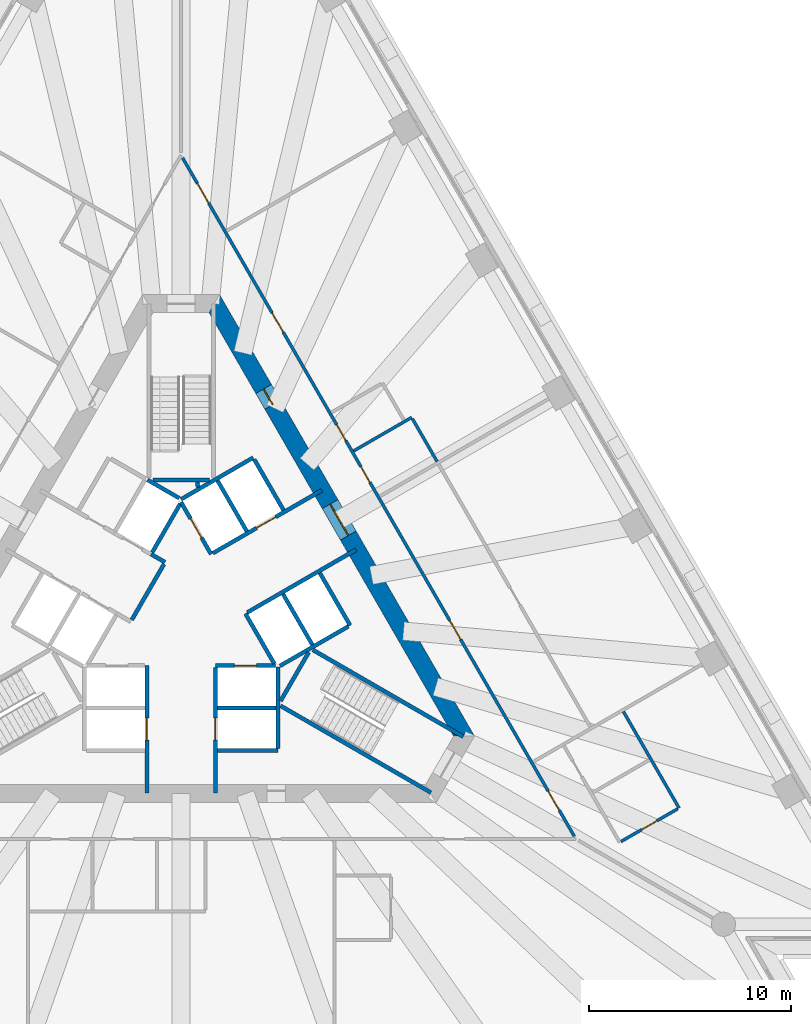
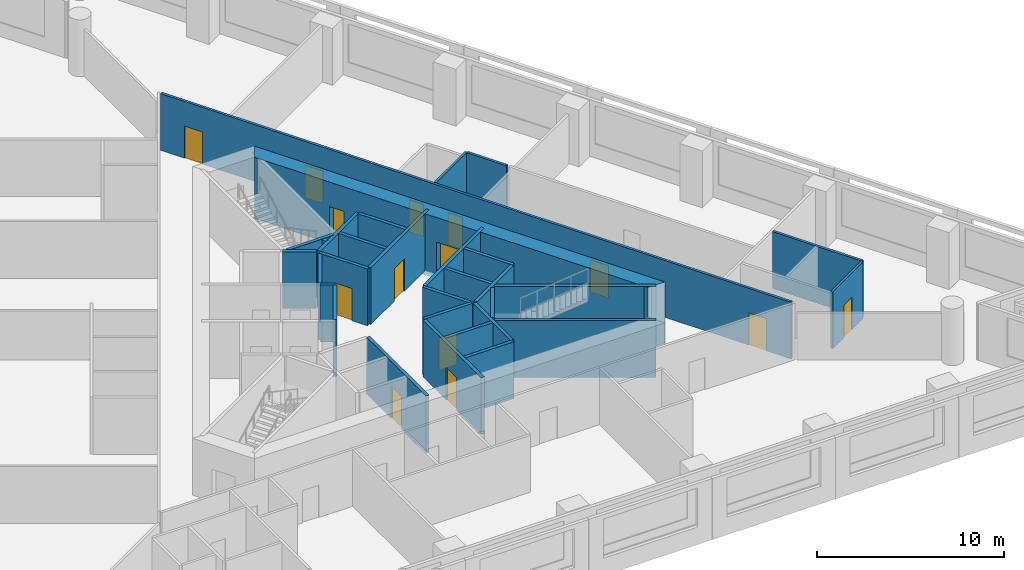
# One storey, part 6 of 11: 31 walls, 14 doors, 14 openings.
"""IFC4 building model written with IfcOpenShell, lengths in metres."""

from ifc_helpers import new_model, si_unit, direction, frame, frame_2d, origin, place, context, subcontext, project, spatial, polyline, rectangle, outline, extrude, material, layer, layer_set, type_object, element, fill, save


model = new_model("IFC4")

# Units and contexts
model_context = context("Model", 3, precision=1e-05, world=origin(), true_north=direction((0.0, 1.0)))
body_context = subcontext(model_context, "Body", "Model", "MODEL_VIEW")
ifc_project = project(units=[si_unit("LENGTHUNIT", "METRE"), si_unit("AREAUNIT", "SQUARE_METRE"), si_unit("VOLUMEUNIT", "CUBIC_METRE"), si_unit("PLANEANGLEUNIT", "RADIAN"), si_unit("MASSUNIT", "GRAM", prefix="KILO")], contexts=[model_context])

# Site, building, storey
site_placement = place(None, origin())
site = spatial("IfcSite", under=ifc_project, at=site_placement, CompositionType="ELEMENT")
building_placement = place(site_placement, origin())
building = spatial("IfcBuilding", under=site, at=building_placement, Name="Triada Interchange Tower", CompositionType="ELEMENT")
storey_placement = place(building_placement, frame((0.0, 0.0, 39.300048828125)))
storey = spatial("IfcBuildingStorey", under=building, at=storey_placement, Name="L07", CompositionType="ELEMENT", Elevation=39.300048828125)

# Walls
ifc_material_1 = material(Name="Concrete C30/37", Category="concrete")
ifc_layer_1 = layer(ifc_material_1, 0.199951171875)
ifc_layer_set_1 = layer_set([ifc_layer_1], Name="CORE WALL 200 EI 120")
wall_type_1 = type_object("IfcWallType", Name="CORE WALL 200 EI 120", PredefinedType="SOLIDWALL", material=ifc_layer_set_1)
wall_1_placement = place(storey_placement, frame((1.800048828125, -4.800048828125, 0.0), z_axis=(0.0, 0.0, 1.0), x_axis=(1.0, 0.0, 0.0)))
element("IfcWall", 1, at=wall_1_placement, inside=storey, type_object=wall_type_1, Name="Wall L06 49", PredefinedType="SOLIDWALL", context=body_context, shape_type="SweptSolid", body=[
    extrude(rectangle(XDim=2.89990234375, YDim=0.199951171875, at=frame_2d((1.449951171875, 0.0))), origin(), (0.0, 0.0, 1.0), 3.699951171875),
])
wall_2_placement = place(storey_placement, frame((1.800048828125, -6.89990234375, 0.0), z_axis=(0.0, 0.0, 1.0), x_axis=(1.0, 0.0, 0.0)))
element("IfcWall", 2, at=wall_2_placement, inside=storey, type_object=wall_type_1, Name="Wall L06 52", PredefinedType="SOLIDWALL", context=body_context, shape_type="SweptSolid", body=[
    extrude(rectangle(XDim=3.0, YDim=0.199951171875, at=frame_2d((1.5, 0.0))), origin(), (0.0, 0.0, 1.0), 3.699951171875),
])

# Wall, opening, door
wall_3_placement = place(storey_placement, frame((-1.699951171875, -9.030029296875, 0.0), z_axis=(0.0, 0.0, 1.0), x_axis=(0.0, 1.0, 0.0)))
wall_3 = element("IfcWall", 3, at=wall_3_placement, inside=storey, type_object=wall_type_1, Name="Wall L06 53", PredefinedType="SOLIDWALL", context=body_context, shape_type="SweptSolid", body=[
    extrude(rectangle(XDim=6.3271484375, YDim=0.199951171875, at=frame_2d((3.16357421875, 0.0))), origin(), (0.0, 0.0, 1.0), 3.699951171875),
])
opening_1_placement = place(wall_3_placement, frame((2.6298828125, 0.0, 0.0)))
opening_1 = element("IfcOpeningElement", 4, at=opening_1_placement, cuts=wall_3, Name="Opening LD-LR4", PredefinedType="OPENING", context=body_context, shape_type="SweptSolid", body=[
    extrude(rectangle(XDim=1.10009765625, YDim=2.10009765625, at=frame_2d((0.550048828125, 1.050048828125))), frame((0.0, 0.10986328125, 0.0), z_axis=(0.0, -1.0, 0.0), x_axis=(1.0, 0.0, 0.0)), (0.0, 0.0, 1.0), 0.219970703125),
])
ifc_material_2 = material(Name="Steel S235 door leaf", Category="steel")
door_type_1 = type_object("IfcDoorType", Name="LIFT LANDING DOOR 1100 EI 120", OperationType="SLIDING_TO_LEFT", PredefinedType="DOOR", material=ifc_material_2)
door_1_placement = place(opening_1_placement, origin())
door_1 = element("IfcDoor", 5, at=door_1_placement, inside=storey, type_object=door_type_1, Name="LR4 landing door L07", OperationType="SLIDING_TO_LEFT", OverallHeight=2.10009765625, OverallWidth=1.10009765625, PredefinedType="DOOR", context=body_context, shape_type="SweptSolid", body=[
    extrude(rectangle(XDim=1.10009765625, YDim=2.10009765625, at=frame_2d((0.550048828125, 1.050048828125))), frame((0.0, 0.02490234375, 0.0), z_axis=(0.0, -1.0, 0.0), x_axis=(1.0, 0.0, 0.0)), (0.0, 0.0, 1.0), 0.050048828125),
])
fill(opening_1, door_1)

wall_4_placement = place(storey_placement, frame((1.702880859375, -2.699951171875, 0.0), z_axis=(0.0, 0.0, 1.0), x_axis=(1.0, 0.0, 0.0)))
wall_4 = element("IfcWall", 6, at=wall_4_placement, inside=storey, type_object=wall_type_1, Name="Wall L06 55", PredefinedType="SOLIDWALL", context=body_context, shape_type="SweptSolid", body=[
    extrude(rectangle(XDim=2.97314453125, YDim=0.199951171875, at=frame_2d((1.486572265625, 0.0))), origin(), (0.0, 0.0, 1.0), 3.699951171875),
])
opening_2_placement = place(wall_4_placement, frame((0.93603515625, 0.0, 0.0)))
opening_2 = element("IfcOpeningElement", 7, at=opening_2_placement, cuts=wall_4, Name="Opening LD-LR1", PredefinedType="OPENING", context=body_context, shape_type="SweptSolid", body=[
    extrude(rectangle(XDim=1.10009765625, YDim=2.10009765625, at=frame_2d((0.550048828125, 1.050048828125))), frame((0.0, 0.10986328125, 0.0), z_axis=(0.0, -1.0, 0.0), x_axis=(1.0, 0.0, 0.0)), (0.0, 0.0, 1.0), 0.219970703125),
])
door_2_placement = place(opening_2_placement, origin())
door_2 = element("IfcDoor", 8, at=door_2_placement, inside=storey, type_object=door_type_1, Name="LR1 landing door L07", OperationType="SLIDING_TO_LEFT", OverallHeight=2.10009765625, OverallWidth=1.10009765625, PredefinedType="DOOR", context=body_context, shape_type="SweptSolid", body=[
    extrude(rectangle(XDim=1.10009765625, YDim=2.10009765625, at=frame_2d((0.550048828125, 1.050048828125))), frame((0.0, 0.02490234375, 0.0), z_axis=(0.0, -1.0, 0.0), x_axis=(1.0, 0.0, 0.0)), (0.0, 0.0, 1.0), 0.050048828125),
])
fill(opening_2, door_2)

# Wall
wall_5_placement = place(storey_placement, frame((-0.001953125, 5.541015625, 0.0), z_axis=(0.0, 0.0, 1.0), x_axis=(0.86600155993, 0.500041296494, 0.0)))
element("IfcWall", 9, at=wall_5_placement, inside=storey, type_object=wall_type_1, Name="Wall L06 56", PredefinedType="SOLIDWALL", context=body_context, shape_type="SweptSolid", body=[
    extrude(rectangle(XDim=4.131591796875, YDim=0.199951171875, at=frame_2d((2.06591796875, 0.0))), origin(), (0.0, 0.0, 1.0), 3.699951171875),
])

# Wall, opening, door
wall_6_placement = place(storey_placement, frame((0.0, 5.39990234375, 0.0), z_axis=(0.0, 0.0, 1.0), x_axis=(0.500103862429, -0.865965430478, 0.0)))
wall_6 = element("IfcWall", 10, at=wall_6_placement, inside=storey, type_object=wall_type_1, Name="Wall L06 57", PredefinedType="SOLIDWALL", context=body_context, shape_type="SweptSolid", body=[
    extrude(rectangle(XDim=2.973388671875, YDim=0.199951171875, at=frame_2d((1.48681640625, 0.0))), origin(), (0.0, 0.0, 1.0), 3.699951171875),
])
opening_3_placement = place(wall_6_placement, frame((0.93701171875, 0.0, 0.0)))
opening_3 = element("IfcOpeningElement", 11, at=opening_3_placement, cuts=wall_6, Name="Opening LD-LR5", PredefinedType="OPENING", context=body_context, shape_type="SweptSolid", body=[
    extrude(rectangle(XDim=1.10009765625, YDim=2.10009765625, at=frame_2d((0.550048828125, 1.050048828125))), frame((0.0, 0.10986328125, 0.0), z_axis=(0.0, -1.0, 0.0), x_axis=(1.0, 0.0, 0.0)), (0.0, 0.0, 1.0), 0.219970703125),
])
door_3_placement = place(opening_3_placement, origin())
door_3 = element("IfcDoor", 12, at=door_3_placement, inside=storey, type_object=door_type_1, Name="LR5 landing door L07", OperationType="SLIDING_TO_LEFT", OverallHeight=2.10009765625, OverallWidth=1.10009765625, PredefinedType="DOOR", context=body_context, shape_type="SweptSolid", body=[
    extrude(rectangle(XDim=1.10009765625, YDim=2.10009765625, at=frame_2d((0.550048828125, 1.050048828125))), frame((0.0, 0.02490234375, 0.0), z_axis=(0.0, -1.0, 0.0), x_axis=(1.0, 0.0, 0.0)), (0.0, 0.0, 1.0), 0.050048828125),
])
fill(opening_3, door_3)

# Wall
wall_7_placement = place(storey_placement, frame((3.18994140625, -0.125, 0.0), z_axis=(0.0, 0.0, 1.0), x_axis=(0.499988658015, -0.866031951983, 0.0)))
element("IfcWall", 13, at=wall_7_placement, inside=storey, type_object=wall_type_1, Name="Wall L06 58", PredefinedType="SOLIDWALL", context=body_context, shape_type="SweptSolid", body=[
    extrude(rectangle(XDim=2.85791015625, YDim=0.199951171875, at=frame_2d((1.428955078125, 0.0))), origin(), (0.0, 0.0, 1.0), 3.699951171875),
])

# Wall, opening, door
wall_8_placement = place(storey_placement, frame((1.577880859375, 2.8740234375, 0.0), z_axis=(0.0, 0.0, 1.0), x_axis=(0.866031483044, 0.499989470266, 0.0)))
wall_8 = element("IfcWall", 14, at=wall_8_placement, inside=storey, type_object=wall_type_1, Name="Wall L06 59", PredefinedType="SOLIDWALL", context=body_context, shape_type="SweptSolid", body=[
    extrude(rectangle(XDim=6.226318359375, YDim=0.199951171875, at=frame_2d((3.11328125, 0.0))), origin(), (0.0, 0.0, 1.0), 3.699951171875),
])
opening_4_placement = place(wall_8_placement, frame((2.49609375, 0.0, 0.0)))
opening_4 = element("IfcOpeningElement", 15, at=opening_4_placement, cuts=wall_8, Name="Opening LD-LR6", PredefinedType="OPENING", context=body_context, shape_type="SweptSolid", body=[
    extrude(rectangle(XDim=1.10009765625, YDim=2.10009765625, at=frame_2d((0.550048828125, 1.050048828125))), frame((0.0, 0.10986328125, 0.0), z_axis=(0.0, -1.0, 0.0), x_axis=(1.0, 0.0, 0.0)), (0.0, 0.0, 1.0), 0.219970703125),
])
door_4_placement = place(opening_4_placement, origin())
door_4 = element("IfcDoor", 16, at=door_4_placement, inside=storey, type_object=door_type_1, Name="LR6 landing door L07", OperationType="SLIDING_TO_LEFT", OverallHeight=2.10009765625, OverallWidth=1.10009765625, PredefinedType="DOOR", context=body_context, shape_type="SweptSolid", body=[
    extrude(rectangle(XDim=1.10009765625, YDim=2.10009765625, at=frame_2d((0.550048828125, 1.050048828125))), frame((0.0, 0.02490234375, 0.0), z_axis=(0.0, -1.0, 0.0), x_axis=(1.0, 0.0, 0.0)), (0.0, 0.0, 1.0), 0.050048828125),
])
fill(opening_4, door_4)

wall_9_placement = place(storey_placement, frame((1.699951171875, -9.030029296875, 0.0), z_axis=(0.0, 0.0, 1.0), x_axis=(0.0, 1.0, 0.0)))
wall_9 = element("IfcWall", 17, at=wall_9_placement, inside=storey, type_object=wall_type_1, Name="Wall L06 60", PredefinedType="SOLIDWALL", context=body_context, shape_type="SweptSolid", body=[
    extrude(rectangle(XDim=6.22705078125, YDim=0.199951171875, at=frame_2d((3.113525390625, 0.0))), origin(), (0.0, 0.0, 1.0), 3.699951171875),
])
opening_5_placement = place(wall_9_placement, frame((2.6298828125, 0.0, 0.0)))
opening_5 = element("IfcOpeningElement", 18, at=opening_5_placement, cuts=wall_9, Name="Opening LD-LR2", PredefinedType="OPENING", context=body_context, shape_type="SweptSolid", body=[
    extrude(rectangle(XDim=1.10009765625, YDim=2.10009765625, at=frame_2d((0.550048828125, 1.050048828125))), frame((0.0, 0.10986328125, 0.0), z_axis=(0.0, -1.0, 0.0), x_axis=(1.0, 0.0, 0.0)), (0.0, 0.0, 1.0), 0.219970703125),
])
door_5_placement = place(opening_5_placement, origin())
door_5 = element("IfcDoor", 19, at=door_5_placement, inside=storey, type_object=door_type_1, Name="LR2 landing door L07", OperationType="SLIDING_TO_LEFT", OverallHeight=2.10009765625, OverallWidth=1.10009765625, PredefinedType="DOOR", context=body_context, shape_type="SweptSolid", body=[
    extrude(rectangle(XDim=1.10009765625, YDim=2.10009765625, at=frame_2d((0.550048828125, 1.050048828125))), frame((0.0, 0.02490234375, 0.0), z_axis=(0.0, -1.0, 0.0), x_axis=(1.0, 0.0, 0.0)), (0.0, 0.0, 1.0), 0.050048828125),
])
fill(opening_5, door_5)

# Walls
wall_10_placement = place(storey_placement, frame((4.800048828125, -6.800048828125, 0.0), z_axis=(0.0, 0.0, 1.0), x_axis=(0.0, 1.0, 0.0)))
element("IfcWall", 20, at=wall_10_placement, inside=storey, type_object=wall_type_1, Name="Wall L06 61", PredefinedType="SOLIDWALL", context=body_context, shape_type="SweptSolid", body=[
    extrude(rectangle(XDim=4.029052734375, YDim=0.199951171875, at=frame_2d((2.0146484375, 0.0))), origin(), (0.0, 0.0, 1.0), 3.699951171875),
])
wall_11_placement = place(storey_placement, frame((3.278076171875, -0.071044921875, 0.0), z_axis=(0.0, 0.0, 1.0), x_axis=(0.865953757655, 0.500124074208, 0.0)))
element("IfcWall", 21, at=wall_11_placement, inside=storey, type_object=wall_type_1, Name="Wall L06 62", PredefinedType="SOLIDWALL", context=body_context, shape_type="SweptSolid", body=[
    extrude(rectangle(XDim=6.2265625, YDim=0.199951171875, at=frame_2d((3.11328125, 0.0))), origin(), (0.0, 0.0, 1.0), 3.699951171875),
])
wall_12_placement = place(storey_placement, frame((3.6259765625, 7.52001953125, 0.0), z_axis=(0.0, 0.0, 1.0), x_axis=(0.500060147554, -0.865990674793, 0.0)))
element("IfcWall", 22, at=wall_12_placement, inside=storey, type_object=wall_type_1, Name="Wall L06 63", PredefinedType="SOLIDWALL", context=body_context, shape_type="SweptSolid", body=[
    extrude(rectangle(XDim=2.899658203125, YDim=0.199951171875, at=frame_2d((1.44970703125, 0.0))), origin(), (0.0, 0.0, 1.0), 3.699951171875),
])
wall_13_placement = place(storey_placement, frame((6.8759765625, 1.89111328125, 0.0), z_axis=(0.0, 0.0, 1.0), x_axis=(0.499990139034, -0.866031096941, 0.0)))
element("IfcWall", 23, at=wall_13_placement, inside=storey, type_object=wall_type_1, Name="Wall L06 64", PredefinedType="SOLIDWALL", context=body_context, shape_type="SweptSolid", body=[
    extrude(rectangle(XDim=3.0, YDim=0.199951171875, at=frame_2d((1.5, 0.0))), origin(), (0.0, 0.0, 1.0), 3.699951171875),
])
for number, where, z_axis, x_axis, name in (
    (24, (1.806884765625, 6.469970703125, 0.0), (0.0, 0.0, 1.0), (0.50012328804, -0.865954211699, 0.0), "Wall L06 65"),
    (25, (5.056884765625, 0.841064453125, 0.0), (0.0, 0.0, 1.0), (0.50012328804, -0.865954211699, 0.0), "Wall L06 66"),
):
    element("IfcWall", number, at=place(storey_placement, frame(where, z_axis=z_axis, x_axis=x_axis)), inside=storey, type_object=wall_type_1, Name=name, PredefinedType="SOLIDWALL", context=body_context, shape_type="SweptSolid", body=[
        extrude(rectangle(XDim=2.899658203125, YDim=0.199951171875, at=frame_2d((1.44970703125, 0.0))), origin(), (0.0, 0.0, 1.0), 3.699951171875),
    ])
wall_14_placement = place(storey_placement, frame((4.89990234375, -2.714111328125, 0.0), z_axis=(0.0, 0.0, 1.0), x_axis=(0.865992350556, 0.500057245502, 0.0)))
element("IfcWall", 26, at=wall_14_placement, inside=storey, type_object=wall_type_1, Name="Wall L06 67", PredefinedType="SOLIDWALL", context=body_context, shape_type="SweptSolid", body=[
    extrude(rectangle(XDim=3.91357421875, YDim=0.199951171875, at=frame_2d((1.956787109375, 0.0))), origin(), (0.0, 0.0, 1.0), 3.699951171875),
])
ifc_layer_2 = layer(ifc_material_1, 0.199951171875)
ifc_layer_set_2 = layer_set([ifc_layer_2], Name="CORE WALL 200 EI 180")
wall_type_2 = type_object("IfcWallType", Name="CORE WALL 200 EI 180", PredefinedType="SOLIDWALL", material=ifc_layer_set_2)
wall_15_placement = place(storey_placement, frame((-1.488037109375, 2.822021484375, 0.0), z_axis=(0.0, 0.0, 1.0), x_axis=(0.866236612152, -0.499633997809, 0.0)))
element("IfcWall", 27, at=wall_15_placement, inside=storey, type_object=wall_type_2, Name="Wall L06 71", PredefinedType="SOLIDWALL", context=body_context, shape_type="SweptSolid", body=[
    extrude(rectangle(XDim=0.79638671875, YDim=0.199951171875, at=frame_2d((0.398193359375, 0.0))), origin(), (0.0, 0.0, 1.0), 3.699951171875),
])
wall_16_placement = place(storey_placement, frame((-2.444091796875, -0.43310546875, 0.0), z_axis=(0.0, 0.0, 1.0), x_axis=(0.500035624827, 0.866004834804, 0.0)))
element("IfcWall", 28, at=wall_16_placement, inside=storey, type_object=wall_type_2, Name="Wall L06 74", PredefinedType="SOLIDWALL", context=body_context, shape_type="SweptSolid", body=[
    extrude(rectangle(XDim=3.194091796875, YDim=0.199951171875, at=frame_2d((1.59716796875, 0.0))), origin(), (0.0, 0.0, 1.0), 3.699951171875),
])
wall_17_placement = place(storey_placement, frame((-1.669921875, 6.507080078125, 0.0), z_axis=(0.0, 0.0, 1.0), x_axis=(0.865941441609, -0.500145398563, 0.0)))
element("IfcWall", 29, at=wall_17_placement, inside=storey, type_object=wall_type_2, Name="Shaft wall FF2 L06 81", PredefinedType="SOLIDWALL", context=body_context, shape_type="SweptSolid", body=[
    extrude(rectangle(XDim=1.8154296875, YDim=0.199951171875, at=frame_2d((0.90771484375, 0.0))), origin(), (0.0, 0.0, 1.0), 3.699951171875),
])
wall_18_placement = place(storey_placement, frame((-1.43798828125, 2.908935546875, 0.0), z_axis=(0.0, 0.0, 1.0), x_axis=(0.499829630636, 0.866123744241, 0.0)))
element("IfcWall", 30, at=wall_18_placement, inside=storey, type_object=wall_type_2, Name="Shaft wall FF2 L06 82", PredefinedType="SOLIDWALL", context=body_context, shape_type="SweptSolid", body=[
    extrude(rectangle(XDim=2.7607421875, YDim=0.199951171875, at=frame_2d((1.38037109375, 0.0))), origin(), (0.0, 0.0, 1.0), 3.699951171875),
])
ifc_layer_3 = layer(ifc_material_1, 0.199951171875)
ifc_layer_set_3 = layer_set([ifc_layer_3], Name="CORE WALL 200 EI 90")
wall_type_3 = type_object("IfcWallType", Name="CORE WALL 200 EI 90", PredefinedType="SOLIDWALL", material=ifc_layer_set_3)
wall_19_placement = place(storey_placement, frame((0.81103515625, 6.39990234375, 0.0), z_axis=(0.0, 0.0, 1.0), x_axis=(0.076199063602, -0.997092624938, 0.0)))
element("IfcWall", 31, at=wall_19_placement, inside=storey, type_object=wall_type_3, Name="Wall L06 83", PredefinedType="SOLIDWALL", context=body_context, shape_type="SweptSolid", body=[
    extrude(rectangle(XDim=0.2626953125, YDim=0.199951171875, at=frame_2d((0.13134765625, 0.0))), origin(), (0.0, 0.0, 1.0), 3.699951171875),
])
ifc_layer_4 = layer(ifc_material_1, 0.199951171875)
ifc_layer_set_4 = layer_set([ifc_layer_4], Name="CORE WALL 200 REI 240")
wall_type_4 = type_object("IfcWallType", Name="CORE WALL 200 REI 240", PredefinedType="SOLIDWALL", material=ifc_layer_set_4)
wall_20_placement = place(storey_placement, frame((-1.39990234375, 6.5, 0.0), z_axis=(0.0, 0.0, 1.0), x_axis=(1.0, 0.0, 0.0)))
element("IfcWall", 32, at=wall_20_placement, inside=storey, type_object=wall_type_4, Name="Wall L06 88", PredefinedType="SOLIDWALL", context=body_context, shape_type="SweptSolid", body=[
    extrude(rectangle(XDim=2.7998046875, YDim=0.199951171875, at=frame_2d((1.39990234375, 0.0))), origin(), (0.0, 0.0, 1.0), 3.699951171875),
])
wall_21_placement = place(storey_placement, frame((4.928955078125, -4.693115234375, 0.0), z_axis=(0.0, 0.0, 1.0), x_axis=(0.866010975815, -0.500024989144, 0.0)))
element("IfcWall", 33, at=wall_21_placement, inside=storey, type_object=wall_type_4, Name="Wall L06 90", PredefinedType="SOLIDWALL", context=body_context, shape_type="SweptSolid", body=[
    extrude(rectangle(XDim=8.615234375, YDim=0.199951171875, at=frame_2d((4.3076171875, 0.0))), origin(), (0.0, 0.0, 1.0), 3.699951171875),
])
wall_22_placement = place(storey_placement, frame((4.928955078125, -4.4619140625, 0.0), z_axis=(0.0, 0.0, 1.0), x_axis=(0.500200581029, 0.865909567298, 0.0)))
element("IfcWall", 34, at=wall_22_placement, inside=storey, type_object=wall_type_4, Name="Wall L06 91", PredefinedType="SOLIDWALL", context=body_context, shape_type="SweptSolid", body=[
    extrude(rectangle(XDim=2.799072265625, YDim=0.199951171875, at=frame_2d((1.3994140625, 0.0))), origin(), (0.0, 0.0, 1.0), 3.699951171875),
])
wall_23_placement = place(storey_placement, frame((6.529052734375, -1.922119140625, 0.0), z_axis=(0.0, 0.0, 1.0), x_axis=(0.866060059011, -0.499939970583, 0.0)))
element("IfcWall", 35, at=wall_23_placement, inside=storey, type_object=wall_type_4, Name="Wall L06 92", PredefinedType="SOLIDWALL", context=body_context, shape_type="SweptSolid", body=[
    extrude(rectangle(XDim=8.61474609375, YDim=0.199951171875, at=frame_2d((4.307373046875, 0.0))), origin(), (0.0, 0.0, 1.0), 3.699951171875),
])

# Wall, openings, doors
ifc_material_3 = material(Name="Concrete C70/85", Category="concrete")
ifc_layer_5 = layer(ifc_material_3, 0.89990234375)
ifc_layer_set_5 = layer_set([ifc_layer_5], Name="Core wall A 900")
wall_type_5 = type_object("IfcWallType", Name="Core wall A 900", PredefinedType="SHEAR", material=ifc_layer_set_5)
wall_24_placement = place(storey_placement, frame((14.030029296875, -6.199951171875, -0.300048828125), z_axis=(0.0, 0.0, 1.0), x_axis=(-0.500026485275, 0.866010111964, 0.0)))
wall_24 = element("IfcWall", 36, at=wall_24_placement, inside=storey, type_object=wall_type_5, Name="Core wall WA06 L07", PredefinedType="SHEAR", context=body_context, shape_type="SweptSolid", body=[
    extrude(outline(polyline([(-0.260009765625, -0.448974609375), (1.685302734375, -0.448974609375), (3.63037109375, -0.44921875), (5.57568359375, -0.44921875), (7.52099609375, -0.44921875), (9.466064453125, -0.449462890625), (11.411376953125, -0.449462890625), (13.356689453125, -0.449462890625), (15.302001953125, -0.449462890625), (17.2470703125, -0.44970703125), (19.1923828125, -0.44970703125), (21.1376953125, -0.44970703125), (23.082763671875, -0.449951171875), (25.028076171875, -0.449951171875), (24.509033203125, 0.448974609375), (22.643798828125, 0.448974609375), (20.7783203125, 0.44921875), (18.9130859375, 0.44921875), (17.0478515625, 0.44921875), (15.182373046875, 0.449462890625), (13.317138671875, 0.449462890625), (11.451904296875, 0.449462890625), (9.586669921875, 0.449462890625), (7.72119140625, 0.44970703125), (5.85595703125, 0.44970703125), (3.99072265625, 0.44970703125), (2.125244140625, 0.449951171875), (0.260009765625, 0.449951171875), (-0.260009765625, -0.448974609375)])), origin(), (0.0, 0.0, 1.0), 4.0),
])
opening_6_placement = place(wall_24_placement, frame((11.48388671875, 0.0, 0.300048828125)))
opening_6 = element("IfcOpeningElement", 37, at=opening_6_placement, cuts=wall_24, Name="Opening D06-40", PredefinedType="OPENING", context=body_context, shape_type="SweptSolid", body=[
    extrude(rectangle(XDim=1.800048828125, YDim=2.10009765625, at=frame_2d((0.89990234375, 1.050048828125))), frame((0.0, 0.4599609375, 0.0), z_axis=(0.0, -1.0, 0.0), x_axis=(1.0, 0.0, 0.0)), (0.0, 0.0, 1.0), 0.919921875),
])
opening_7_placement = place(wall_24_placement, frame((18.97607421875, 0.0, 0.300048828125)))
opening_7 = element("IfcOpeningElement", 38, at=opening_7_placement, cuts=wall_24, Name="Opening D06-47", PredefinedType="OPENING", context=body_context, shape_type="SweptSolid", body=[
    extrude(rectangle(XDim=0.89990234375, YDim=2.10009765625, at=frame_2d((0.449951171875, 1.050048828125))), frame((0.0, 0.4599609375, 0.0), z_axis=(0.0, -1.0, 0.0), x_axis=(1.0, 0.0, 0.0)), (0.0, 0.0, 1.0), 0.919921875),
])
door_type_2 = type_object("IfcDoorType", Name="LOBBY DOOR 1800 EI2 90-C5S200", OperationType="DOUBLE_DOOR_SINGLE_SWING", PredefinedType="DOOR", material=ifc_material_2)
door_6_placement = place(opening_6_placement, origin())
door_6 = element("IfcDoor", 39, at=door_6_placement, inside=storey, type_object=door_type_2, Name="Door D06-40 L07", OperationType="DOUBLE_DOOR_SINGLE_SWING", OverallHeight=2.10009765625, OverallWidth=1.800048828125, PredefinedType="DOOR", context=body_context, shape_type="SweptSolid", body=[
    extrude(rectangle(XDim=1.800048828125, YDim=2.10009765625, at=frame_2d((0.89990234375, 1.050048828125))), frame((0.0, 0.02490234375, 0.0), z_axis=(0.0, -1.0, 0.0), x_axis=(1.0, 0.0, 0.0)), (0.0, 0.0, 1.0), 0.050048828125),
])
fill(opening_6, door_6)
door_type_3 = type_object("IfcDoorType", Name="RISER ACCESS DOOR 900 EI2 45-C5S200", OperationType="NOTDEFINED", PredefinedType="DOOR", material=ifc_material_2)
door_7_placement = place(opening_7_placement, origin())
door_7 = element("IfcDoor", 40, at=door_7_placement, inside=storey, type_object=door_type_3, Name="Door D06-47 L07", OperationType="SINGLE_SWING_LEFT", OverallHeight=2.10009765625, OverallWidth=0.89990234375, PredefinedType="DOOR", context=body_context, shape_type="SweptSolid", body=[
    extrude(rectangle(XDim=0.89990234375, YDim=2.10009765625, at=frame_2d((0.449951171875, 1.050048828125))), frame((0.0, 0.02490234375, 0.0), z_axis=(0.0, -1.0, 0.0), x_axis=(1.0, 0.0, 0.0)), (0.0, 0.0, 1.0), 0.050048828125),
])
fill(opening_7, door_7)

ifc_material_4 = material(Name="Gypsum board partition")
ifc_layer_6 = layer(ifc_material_4, 0.14990234375)
ifc_layer_set_6 = layer_set([ifc_layer_6], Name="PARTITION 150 EI 180")
wall_type_6 = type_object("IfcWallType", Name="PARTITION 150 EI 180", PredefinedType="PARTITIONING", material=ifc_layer_set_6)
wall_25_placement = place(storey_placement, frame((0.074951171875, 22.469970703125, 0.0), z_axis=(0.0, 0.0, 1.0), x_axis=(0.500002280369, -0.866024087209, 0.0)))
wall_25 = element("IfcWall", 41, at=wall_25_placement, inside=storey, type_object=wall_type_6, Name="Wall L06 25", PredefinedType="PARTITIONING", context=body_context, shape_type="SweptSolid", body=[
    extrude(rectangle(XDim=38.843994140625, YDim=0.14990234375, at=frame_2d((19.421875, 0.0))), origin(), (0.0, 0.0, 1.0), 3.699951171875),
])
opening_8_placement = place(wall_25_placement, frame((36.243896484375, 0.0, 0.0)))
opening_8 = element("IfcOpeningElement", 42, at=opening_8_placement, cuts=wall_25, Name="Opening D06-22", PredefinedType="OPENING", context=body_context, shape_type="SweptSolid", body=[
    extrude(rectangle(XDim=1.10009765625, YDim=2.10009765625, at=frame_2d((0.550048828125, 1.050048828125))), frame((0.0, 0.0849609375, 0.0), z_axis=(0.0, -1.0, 0.0), x_axis=(1.0, 0.0, 0.0)), (0.0, 0.0, 1.0), 0.169921875),
])
opening_9_placement = place(wall_25_placement, frame((26.471923828125, 0.0, 0.0)))
opening_9 = element("IfcOpeningElement", 43, at=opening_9_placement, cuts=wall_25, Name="Opening D06-25", PredefinedType="OPENING", context=body_context, shape_type="SweptSolid", body=[
    extrude(rectangle(XDim=1.10009765625, YDim=2.10009765625, at=frame_2d((0.550048828125, 1.050048828125))), frame((0.0, 0.0849609375, 0.0), z_axis=(0.0, -1.0, 0.0), x_axis=(1.0, 0.0, 0.0)), (0.0, 0.0, 1.0), 0.169921875),
])
opening_10_placement = place(wall_25_placement, frame((8.8720703125, 0.0, 0.0)))
opening_10 = element("IfcOpeningElement", 44, at=opening_10_placement, cuts=wall_25, Name="Opening D06-27", PredefinedType="OPENING", context=body_context, shape_type="SweptSolid", body=[
    extrude(rectangle(XDim=1.10009765625, YDim=2.10009765625, at=frame_2d((0.550048828125, 1.050048828125))), frame((0.0, 0.0849609375, 0.0), z_axis=(0.0, -1.0, 0.0), x_axis=(1.0, 0.0, 0.0)), (0.0, 0.0, 1.0), 0.169921875),
])
opening_11_placement = place(wall_25_placement, frame((17.672119140625, 0.0, 0.0)))
opening_11 = element("IfcOpeningElement", 45, at=opening_11_placement, cuts=wall_25, Name="Opening D06-28", PredefinedType="OPENING", context=body_context, shape_type="SweptSolid", body=[
    extrude(rectangle(XDim=0.89990234375, YDim=2.10009765625, at=frame_2d((0.449951171875, 1.050048828125))), frame((0.0, 0.0849609375, 0.0), z_axis=(0.0, -1.0, 0.0), x_axis=(1.0, 0.0, 0.0)), (0.0, 0.0, 1.0), 0.169921875),
])
opening_12_placement = place(wall_25_placement, frame((15.27197265625, 0.0, 0.0)))
opening_12 = element("IfcOpeningElement", 46, at=opening_12_placement, cuts=wall_25, Name="Opening D06-29", PredefinedType="OPENING", context=body_context, shape_type="SweptSolid", body=[
    extrude(rectangle(XDim=0.89990234375, YDim=2.10009765625, at=frame_2d((0.449951171875, 1.050048828125))), frame((0.0, 0.0849609375, 0.0), z_axis=(0.0, -1.0, 0.0), x_axis=(1.0, 0.0, 0.0)), (0.0, 0.0, 1.0), 0.169921875),
])
opening_13_placement = place(wall_25_placement, frame((1.472900390625, 0.0, 0.0)))
opening_13 = element("IfcOpeningElement", 47, at=opening_13_placement, cuts=wall_25, Name="Opening D06-30", PredefinedType="OPENING", context=body_context, shape_type="SweptSolid", body=[
    extrude(rectangle(XDim=1.10009765625, YDim=2.10009765625, at=frame_2d((0.550048828125, 1.050048828125))), frame((0.0, 0.0849609375, 0.0), z_axis=(0.0, -1.0, 0.0), x_axis=(1.0, 0.0, 0.0)), (0.0, 0.0, 1.0), 0.169921875),
])
door_type_4 = type_object("IfcDoorType", Name="ROOM DOOR 900 EI2 90-C5S200", OperationType="NOTDEFINED", PredefinedType="DOOR", material=ifc_material_2)
door_8_placement = place(opening_11_placement, origin())
door_8 = element("IfcDoor", 48, at=door_8_placement, inside=storey, type_object=door_type_4, Name="Door D06-28 L07", OperationType="SINGLE_SWING_RIGHT", OverallHeight=2.10009765625, OverallWidth=0.89990234375, PredefinedType="DOOR", context=body_context, shape_type="SweptSolid", body=[
    extrude(rectangle(XDim=0.89990234375, YDim=2.10009765625, at=frame_2d((0.449951171875, 1.050048828125))), frame((0.0, 0.02490234375, 0.0), z_axis=(0.0, -1.0, 0.0), x_axis=(1.0, 0.0, 0.0)), (0.0, 0.0, 1.0), 0.050048828125),
])
fill(opening_11, door_8)
door_type_5 = type_object("IfcDoorType", Name="SERVICE DOOR 900 EI2 90-C5S200", OperationType="NOTDEFINED", PredefinedType="DOOR", material=ifc_material_2)
door_9_placement = place(opening_12_placement, origin())
door_9 = element("IfcDoor", 49, at=door_9_placement, inside=storey, type_object=door_type_5, Name="Door D06-29 L07", OperationType="SINGLE_SWING_RIGHT", OverallHeight=2.10009765625, OverallWidth=0.89990234375, PredefinedType="DOOR", context=body_context, shape_type="SweptSolid", body=[
    extrude(rectangle(XDim=0.89990234375, YDim=2.10009765625, at=frame_2d((0.449951171875, 1.050048828125))), frame((0.0, 0.02490234375, 0.0), z_axis=(0.0, -1.0, 0.0), x_axis=(1.0, 0.0, 0.0)), (0.0, 0.0, 1.0), 0.050048828125),
])
fill(opening_12, door_9)
door_type_6 = type_object("IfcDoorType", Name="TENANCY ENTRANCE DOOR 1100 EI2 90-C5S200", OperationType="NOTDEFINED", PredefinedType="DOOR", material=ifc_material_2)
door_10_placement = place(opening_8_placement, origin())
door_10 = element("IfcDoor", 50, at=door_10_placement, inside=storey, type_object=door_type_6, Name="Door D06-22 L07", OperationType="SINGLE_SWING_RIGHT", OverallHeight=2.10009765625, OverallWidth=1.10009765625, PredefinedType="DOOR", context=body_context, shape_type="SweptSolid", body=[
    extrude(rectangle(XDim=1.10009765625, YDim=2.10009765625, at=frame_2d((0.550048828125, 1.050048828125))), frame((0.0, 0.02490234375, 0.0), z_axis=(0.0, -1.0, 0.0), x_axis=(1.0, 0.0, 0.0)), (0.0, 0.0, 1.0), 0.050048828125),
])
fill(opening_8, door_10)
door_11_placement = place(opening_9_placement, origin())
door_11 = element("IfcDoor", 51, at=door_11_placement, inside=storey, type_object=door_type_6, Name="Door D06-25 L07", OperationType="SINGLE_SWING_RIGHT", OverallHeight=2.10009765625, OverallWidth=1.10009765625, PredefinedType="DOOR", context=body_context, shape_type="SweptSolid", body=[
    extrude(rectangle(XDim=1.10009765625, YDim=2.10009765625, at=frame_2d((0.550048828125, 1.050048828125))), frame((0.0, 0.02490234375, 0.0), z_axis=(0.0, -1.0, 0.0), x_axis=(1.0, 0.0, 0.0)), (0.0, 0.0, 1.0), 0.050048828125),
])
fill(opening_9, door_11)
door_12_placement = place(opening_10_placement, origin())
door_12 = element("IfcDoor", 52, at=door_12_placement, inside=storey, type_object=door_type_6, Name="Door D06-27 L07", OperationType="SINGLE_SWING_RIGHT", OverallHeight=2.10009765625, OverallWidth=1.10009765625, PredefinedType="DOOR", context=body_context, shape_type="SweptSolid", body=[
    extrude(rectangle(XDim=1.10009765625, YDim=2.10009765625, at=frame_2d((0.550048828125, 1.050048828125))), frame((0.0, 0.02490234375, 0.0), z_axis=(0.0, -1.0, 0.0), x_axis=(1.0, 0.0, 0.0)), (0.0, 0.0, 1.0), 0.050048828125),
])
fill(opening_10, door_12)
door_13_placement = place(opening_13_placement, origin())
door_13 = element("IfcDoor", 53, at=door_13_placement, inside=storey, type_object=door_type_6, Name="Door D06-30 L07", OperationType="SINGLE_SWING_LEFT", OverallHeight=2.10009765625, OverallWidth=1.10009765625, PredefinedType="DOOR", context=body_context, shape_type="SweptSolid", body=[
    extrude(rectangle(XDim=1.10009765625, YDim=2.10009765625, at=frame_2d((0.550048828125, 1.050048828125))), frame((0.0, 0.02490234375, 0.0), z_axis=(0.0, -1.0, 0.0), x_axis=(1.0, 0.0, 0.0)), (0.0, 0.0, 1.0), 0.050048828125),
])
fill(opening_13, door_13)

# Walls
wall_26_placement = place(storey_placement, frame((8.551025390625, 7.93896484375, 0.0), z_axis=(0.0, 0.0, 1.0), x_axis=(0.865975293465, 0.500086783578, 0.0)))
element("IfcWall", 54, at=wall_26_placement, inside=storey, type_object=wall_type_6, Name="Wall L06 30", PredefinedType="PARTITIONING", context=body_context, shape_type="SweptSolid", body=[
    extrude(rectangle(XDim=3.32568359375, YDim=0.14990234375, at=frame_2d((1.662841796875, 0.0))), origin(), (0.0, 0.0, 1.0), 3.699951171875),
])
wall_27_placement = place(storey_placement, frame((11.468017578125, 9.537109375, 0.0), z_axis=(0.0, 0.0, 1.0), x_axis=(0.499975448907, -0.8660395779, 0.0)))
element("IfcWall", 55, at=wall_27_placement, inside=storey, type_object=wall_type_6, Name="Wall L06 31", PredefinedType="PARTITIONING", context=body_context, shape_type="SweptSolid", body=[
    extrude(rectangle(XDim=2.4501953125, YDim=0.14990234375, at=frame_2d((1.22509765625, 0.0))), origin(), (0.0, 0.0, 1.0), 3.699951171875),
])
ifc_layer_7 = layer(ifc_material_4, 0.14990234375)
ifc_layer_set_7 = layer_set([ifc_layer_7], Name="PARTITION 150 EI 90")
wall_type_7 = type_object("IfcWallType", Name="PARTITION 150 EI 90", PredefinedType="PARTITIONING", material=ifc_layer_set_7)
wall_28_placement = place(storey_placement, frame((21.927001953125, -4.97802734375, 0.0), z_axis=(0.0, 0.0, 1.0), x_axis=(0.499917542299, -0.866073005526, 0.0)))
element("IfcWall", 56, at=wall_28_placement, inside=storey, type_object=wall_type_7, Name="Wall L06 43", PredefinedType="PARTITIONING", context=body_context, shape_type="SweptSolid", body=[
    extrude(rectangle(XDim=5.52490234375, YDim=0.14990234375, at=frame_2d((2.762451171875, 0.0))), origin(), (0.0, 0.0, 1.0), 3.699951171875),
])

# Wall, opening, door
wall_29_placement = place(storey_placement, frame((21.81005859375, -11.425048828125, 0.0), z_axis=(0.0, 0.0, 1.0), x_axis=(0.865977875238, 0.500082312822, 0.0)))
wall_29 = element("IfcWall", 57, at=wall_29_placement, inside=storey, type_object=wall_type_7, Name="Wall L06 45", PredefinedType="PARTITIONING", context=body_context, shape_type="SweptSolid", body=[
    extrude(rectangle(XDim=3.24951171875, YDim=0.14990234375, at=frame_2d((1.624755859375, 0.0))), origin(), (0.0, 0.0, 1.0), 3.699951171875),
])
opening_14_placement = place(wall_29_placement, frame((1.174072265625, 0.0, 0.0)))
opening_14 = element("IfcOpeningElement", 58, at=opening_14_placement, cuts=wall_29, Name="Opening D06-24", PredefinedType="OPENING", context=body_context, shape_type="SweptSolid", body=[
    extrude(rectangle(XDim=0.89990234375, YDim=2.10009765625, at=frame_2d((0.449951171875, 1.050048828125))), frame((0.0, 0.0849609375, 0.0), z_axis=(0.0, -1.0, 0.0), x_axis=(1.0, 0.0, 0.0)), (0.0, 0.0, 1.0), 0.169921875),
])
door_type_7 = type_object("IfcDoorType", Name="ROOM DOOR 900 EI2 45-C5S200", OperationType="NOTDEFINED", PredefinedType="DOOR", material=ifc_material_2)
door_14_placement = place(opening_14_placement, origin())
door_14 = element("IfcDoor", 59, at=door_14_placement, inside=storey, type_object=door_type_7, Name="Door D06-24 L07", OperationType="SINGLE_SWING_LEFT", OverallHeight=2.10009765625, OverallWidth=0.89990234375, PredefinedType="DOOR", context=body_context, shape_type="SweptSolid", body=[
    extrude(rectangle(XDim=0.89990234375, YDim=2.10009765625, at=frame_2d((0.449951171875, 1.050048828125))), frame((0.0, 0.02490234375, 0.0), z_axis=(0.0, -1.0, 0.0), x_axis=(1.0, 0.0, 0.0)), (0.0, 0.0, 1.0), 0.050048828125),
])
fill(opening_14, door_14)

save(model, "model.ifc")
